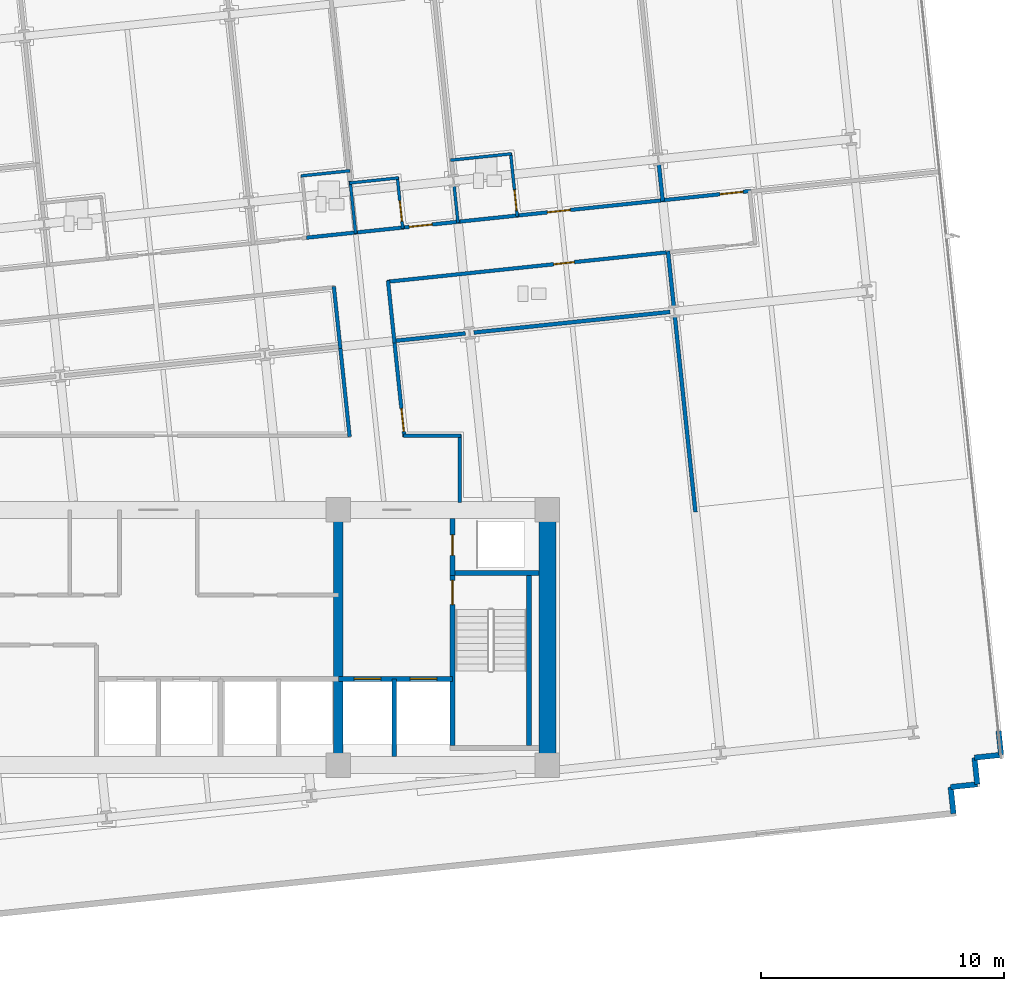
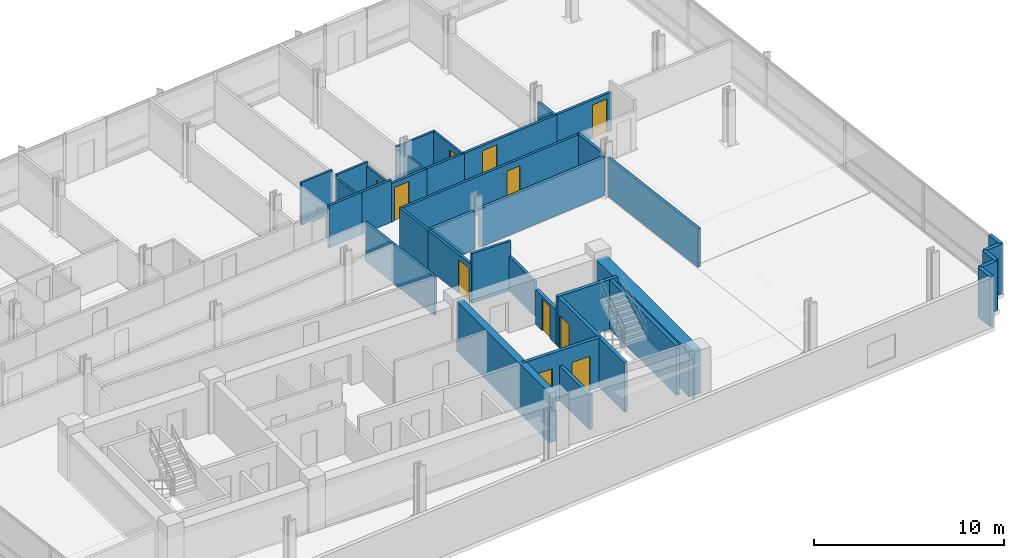
# One storey, part 12 of 18: 38 walls, 11 doors, 11 openings.
"""IFC4 building model written with IfcOpenShell, lengths in metres."""

from ifc_helpers import new_model, si_unit, direction, frame, frame_2d, origin, place, context, subcontext, project, spatial, rectangle, extrude, material, layer, layer_set, type_object, element, fill, save


model = new_model("IFC4")

# Units and contexts
model_context = context("Model", 3, precision=1e-05, world=origin(), true_north=direction((0.0, 1.0)))
body_context = subcontext(model_context, "Body", "Model", "MODEL_VIEW")
ifc_project = project(units=[si_unit("LENGTHUNIT", "METRE"), si_unit("AREAUNIT", "SQUARE_METRE"), si_unit("VOLUMEUNIT", "CUBIC_METRE"), si_unit("PLANEANGLEUNIT", "RADIAN"), si_unit("MASSUNIT", "GRAM", prefix="KILO")], contexts=[model_context])

# Site, building, storey
site_placement = place(None, origin())
site = spatial("IfcSite", under=ifc_project, at=site_placement, CompositionType="ELEMENT")
building_placement = place(site_placement, origin())
building = spatial("IfcBuilding", under=site, at=building_placement, Name="Solmavex Isthmus Hotel", CompositionType="ELEMENT")
storey_placement = place(building_placement, frame((0.0, 0.0, 120.14990234375)))
storey = spatial("IfcBuildingStorey", under=building, at=storey_placement, Name="L32", CompositionType="ELEMENT", Elevation=120.14990234375)

# Walls
ifc_material_1 = material(Name="Precast Concrete C40/50", Category="concrete")
ifc_layer_1 = layer(ifc_material_1, 0.25)
ifc_layer_set_1 = layer_set([ifc_layer_1], Name="Precast Concrete C40/50")
wall_type_1 = type_object("IfcWallType", Name="EW-TWR-250", PredefinedType="STANDARD", material=ifc_layer_set_1)
wall_1_placement = place(storey_placement, frame((34.553955078125, -11.59228515625, 0.0), z_axis=(0.0, 0.0, 1.0), x_axis=(0.104556418955, -0.99451895671, 0.0)))
element("IfcWall", 1, at=wall_1_placement, inside=storey, type_object=wall_type_1, Name="Serrated Corner Facade Panel L32-21", PredefinedType="STANDARD", context=body_context, shape_type="SweptSolid", body=[
    extrude(rectangle(XDim=0.989990234375, YDim=0.219970703125, at=frame_2d((0.4951171875, 0.0))), origin(), (0.0, 0.0, 1.0), 3.190185546875),
])
for number, where, z_axis, x_axis, name in (
    (2, (34.657470703125, -12.576904296875, 0.0), (0.0, 0.0, 1.0), (-0.994521251134, -0.104534592565, 0.0), "Serrated Corner Facade Panel L32-22"),
    (3, (33.5634765625, -12.69189453125, 0.0), (0.0, 0.0, 1.0), (0.104534592565, -0.994521251134, 0.0), "Serrated Corner Facade Panel L32-23"),
    (4, (33.678466796875, -13.785888671875, 0.0), (0.0, 0.0, 1.0), (-0.994521251134, -0.104534592565, 0.0), "Serrated Corner Facade Panel L32-24"),
    (5, (32.58447265625, -13.90087890625, 0.0), (0.0, 0.0, 1.0), (0.104534592565, -0.994521251134, 0.0), "Serrated Corner Facade Panel L32-25"),
):
    element("IfcWall", number, at=place(storey_placement, frame(where, z_axis=z_axis, x_axis=x_axis)), inside=storey, type_object=wall_type_1, Name=name, PredefinedType="STANDARD", context=body_context, shape_type="SweptSolid", body=[
        extrude(rectangle(XDim=1.10009765625, YDim=0.219970703125, at=frame_2d((0.550048828125, 0.0))), origin(), (0.0, 0.0, 1.0), 3.190185546875),
    ])
ifc_material_2 = material(Name="Gypsum plasterboard lining", Category="gypsum")
ifc_layer_2 = layer(ifc_material_2, 0.159912109375)
ifc_layer_set_2 = layer_set([ifc_layer_2], Name="Gypsum plasterboard lining")
wall_type_2 = type_object("IfcWallType", Name="IW-COMP-160", PredefinedType="PARTITIONING", material=ifc_layer_set_2)
wall_2_placement = place(storey_placement, frame((20.579833984375, 11.74658203125, 0.0), z_axis=(0.0, 0.0, 1.0), x_axis=(0.104578999325, -0.994516582516, 0.0)))
element("IfcWall", 6, at=wall_2_placement, inside=storey, type_object=wall_type_2, Name="Interior Partition Wall W-L32-P067", PredefinedType="PARTITIONING", context=body_context, shape_type="SweptSolid", body=[
    extrude(rectangle(XDim=1.561767578125, YDim=0.159912109375, at=frame_2d((0.78076171875, 0.0))), origin(), (0.0, 0.0, 1.0), 2.4794921875),
])
wall_3_placement = place(storey_placement, frame((20.95947265625, 8.134765625, 0.0), z_axis=(0.0, 0.0, 1.0), x_axis=(0.104558463094, -0.994518741802, 0.0)))
element("IfcWall", 7, at=wall_3_placement, inside=storey, type_object=wall_type_2, Name="Interior Partition Wall W-L32-P069", PredefinedType="PARTITIONING", context=body_context, shape_type="SweptSolid", body=[
    extrude(rectangle(XDim=2.31396484375, YDim=0.159912109375, at=frame_2d((1.156982421875, 0.0))), origin(), (0.0, 0.0, 1.0), 2.4794921875),
])
wall_4_placement = place(storey_placement, frame((12.625, 4.755126953125, 0.0), z_axis=(0.0, 0.0, 1.0), x_axis=(-0.994518476722, -0.1045609844, 0.0)))
element("IfcWall", 8, at=wall_4_placement, inside=storey, type_object=wall_type_2, Name="Interior Partition Wall W-L32-P070", PredefinedType="PARTITIONING", context=body_context, shape_type="SweptSolid", body=[
    extrude(rectangle(XDim=2.97705078125, YDim=0.159912109375, at=frame_2d((1.488525390625, 0.0))), origin(), (0.0, 0.0, 1.0), 2.4794921875),
])
wall_5_placement = place(storey_placement, frame((21.04443359375, 5.639892578125, 0.0), z_axis=(0.0, 0.0, 1.0), x_axis=(-0.994521269983, -0.104534413238, 0.0)))
element("IfcWall", 9, at=wall_5_placement, inside=storey, type_object=wall_type_2, Name="Interior Partition Wall W-L32-P071", PredefinedType="PARTITIONING", context=body_context, shape_type="SweptSolid", body=[
    extrude(rectangle(XDim=8.113525390625, YDim=0.159912109375, at=frame_2d((4.056640625, 0.0))), origin(), (0.0, 0.0, 1.0), 2.4794921875),
])
wall_6_placement = place(storey_placement, frame((22.086181640625, -2.586181640625, 0.0), z_axis=(0.0, 0.0, 1.0), x_axis=(-0.104531285071, 0.994521598781, 0.0)))
element("IfcWall", 10, at=wall_6_placement, inside=storey, type_object=wall_type_2, Name="Interior Partition Wall W-L32-P080", PredefinedType="PARTITIONING", context=body_context, shape_type="SweptSolid", body=[
    extrude(rectangle(XDim=8.11376953125, YDim=0.159912109375, at=frame_2d((4.056884765625, 0.0))), origin(), (0.0, 0.0, 1.0), 2.4794921875),
])
ifc_layer_3 = layer(ifc_material_2, 0.14990234375)
ifc_layer_set_3 = layer_set([ifc_layer_3], Name="Gypsum plasterboard lining")
wall_type_3 = type_object("IfcWallType", Name="IW-CORR-150", PredefinedType="PARTITIONING", material=ifc_layer_set_3)
wall_7_placement = place(storey_placement, frame((6.09130859375, 8.693603515625, 0.0), z_axis=(0.0, 0.0, 1.0), x_axis=(0.994520650134, 0.1045403102, 0.0)))
element("IfcWall", 11, at=wall_7_placement, inside=storey, type_object=wall_type_3, Name="Interior Partition Wall W-L32-P006", PredefinedType="PARTITIONING", context=body_context, shape_type="SweptSolid", body=[
    extrude(rectangle(XDim=2.111083984375, YDim=0.14990234375, at=frame_2d((1.0556640625, 0.0))), origin(), (0.0, 0.0, 1.0), 2.71826171875),
])

# Wall, opening, door
wall_8_placement = place(storey_placement, frame((9.96435546875, 9.100830078125, 0.0), z_axis=(0.0, 0.0, 1.0), x_axis=(0.994531631715, 0.104435786577, 0.0)))
wall_8 = element("IfcWall", 12, at=wall_8_placement, inside=storey, type_object=wall_type_3, Name="Interior Partition Wall W-L32-P007", PredefinedType="PARTITIONING", context=body_context, shape_type="SweptSolid", body=[
    extrude(rectangle(XDim=2.449951171875, YDim=0.14990234375, at=frame_2d((1.22509765625, 0.0))), origin(), (0.0, 0.0, 1.0), 2.4794921875),
])
opening_1_placement = place(wall_8_placement, frame((0.351806640625, 0.0, 0.0)))
opening_1 = element("IfcOpeningElement", 13, at=opening_1_placement, cuts=wall_8, Name="Opening ID-C095", PredefinedType="OPENING", context=body_context, shape_type="SweptSolid", body=[
    extrude(rectangle(XDim=0.949951171875, YDim=2.14990234375, at=frame_2d((0.47509765625, 1.074951171875))), frame((0.0, 0.0849609375, 0.0), z_axis=(0.0, -1.0, 0.0), x_axis=(1.0, 0.0, 0.0)), (0.0, 0.0, 1.0), 0.169921875),
])
ifc_material_3 = material(Name="Hardwood timber", Category="wood")
door_type_1 = type_object("IfcDoorType", Name="IDR-FD60-0950", OperationType="NOTDEFINED", PredefinedType="DOOR", material=ifc_material_3)
door_1_placement = place(opening_1_placement, frame((0.949951171875, 0.0, 0.0), z_axis=(0.0, 0.0, 1.0), x_axis=(-1.0, 0.0, 0.0)))
door_1 = element("IfcDoor", 14, at=door_1_placement, inside=storey, type_object=door_type_1, Name="Club Twin Room Door L32-13", OperationType="SINGLE_SWING_LEFT", OverallHeight=2.14990234375, OverallWidth=0.949951171875, PredefinedType="DOOR", context=body_context, shape_type="SweptSolid", body=[
    extrude(rectangle(XDim=0.949951171875, YDim=2.14990234375, at=frame_2d((0.47509765625, 1.074951171875))), frame((0.0, 0.02490234375, 0.0), z_axis=(0.0, -1.0, 0.0), x_axis=(1.0, 0.0, 0.0)), (0.0, 0.0, 1.0), 0.050048828125),
])
fill(opening_1, door_1)

# Wall
wall_9_placement = place(storey_placement, frame((8.02783203125, 8.897216796875, 0.0), z_axis=(0.0, 0.0, 1.0), x_axis=(0.994520650134, 0.1045403102, 0.0)))
element("IfcWall", 15, at=wall_9_placement, inside=storey, type_object=wall_type_3, Name="Interior Partition Wall W-L32-P008", PredefinedType="PARTITIONING", context=body_context, shape_type="SweptSolid", body=[
    extrude(rectangle(XDim=2.111083984375, YDim=0.14990234375, at=frame_2d((1.0556640625, 0.0))), origin(), (0.0, 0.0, 1.0), 2.71826171875),
])

# Wall, opening, door
wall_10_placement = place(storey_placement, frame((14.67431640625, 9.595703125, 0.0), z_axis=(0.0, 0.0, 1.0), x_axis=(0.994521891766, 0.104528497542, 0.0)))
wall_10 = element("IfcWall", 16, at=wall_10_placement, inside=storey, type_object=wall_type_3, Name="Interior Partition Wall W-L32-P009", PredefinedType="PARTITIONING", context=body_context, shape_type="SweptSolid", body=[
    extrude(rectangle(XDim=6.18017578125, YDim=0.14990234375, at=frame_2d((3.090087890625, 0.0))), origin(), (0.0, 0.0, 1.0), 2.4794921875),
])
opening_2_placement = place(wall_10_placement, frame((1.333984375, 0.0, 0.0)))
opening_2 = element("IfcOpeningElement", 17, at=opening_2_placement, cuts=wall_10, Name="Opening ID-C095", PredefinedType="OPENING", context=body_context, shape_type="SweptSolid", body=[
    extrude(rectangle(XDim=0.949951171875, YDim=2.14990234375, at=frame_2d((0.47509765625, 1.074951171875))), frame((0.0, 0.0849609375, 0.0), z_axis=(0.0, -1.0, 0.0), x_axis=(1.0, 0.0, 0.0)), (0.0, 0.0, 1.0), 0.169921875),
])
door_2_placement = place(opening_2_placement, frame((0.949951171875, 0.0, 0.0), z_axis=(0.0, 0.0, 1.0), x_axis=(-1.0, 0.0, 0.0)))
door_2 = element("IfcDoor", 18, at=door_2_placement, inside=storey, type_object=door_type_1, Name="Premier Suite Door L32-15", OperationType="SINGLE_SWING_LEFT", OverallHeight=2.14990234375, OverallWidth=0.949951171875, PredefinedType="DOOR", context=body_context, shape_type="SweptSolid", body=[
    extrude(rectangle(XDim=0.949951171875, YDim=2.14990234375, at=frame_2d((0.47509765625, 1.074951171875))), frame((0.0, 0.02490234375, 0.0), z_axis=(0.0, -1.0, 0.0), x_axis=(1.0, 0.0, 0.0)), (0.0, 0.0, 1.0), 0.050048828125),
])
fill(opening_2, door_2)

# Wall
wall_11_placement = place(storey_placement, frame((12.23779296875, 9.339599609375, 0.0), z_axis=(0.0, 0.0, 1.0), x_axis=(0.994523350694, 0.104514615837, 0.0)))
element("IfcWall", 19, at=wall_11_placement, inside=storey, type_object=wall_type_3, Name="Interior Partition Wall W-L32-P010", PredefinedType="PARTITIONING", context=body_context, shape_type="SweptSolid", body=[
    extrude(rectangle(XDim=2.614013671875, YDim=0.14990234375, at=frame_2d((1.30712890625, 0.0))), origin(), (0.0, 0.0, 1.0), 2.4794921875),
])

# Wall, opening, door
wall_12_placement = place(storey_placement, frame((20.657470703125, 10.224609375, 0.0), z_axis=(0.0, 0.0, 1.0), x_axis=(0.994518385036, 0.104561856457, 0.0)))
wall_12 = element("IfcWall", 20, at=wall_12_placement, inside=storey, type_object=wall_type_3, Name="Interior Partition Wall W-L32-P011", PredefinedType="PARTITIONING", context=body_context, shape_type="SweptSolid", body=[
    extrude(rectangle(XDim=3.721923828125, YDim=0.14990234375, at=frame_2d((1.86083984375, 0.0))), origin(), (0.0, 0.0, 1.0), 2.4794921875),
])
opening_3_placement = place(wall_12_placement, frame((2.456787109375, 0.0, 0.0)))
opening_3 = element("IfcOpeningElement", 21, at=opening_3_placement, cuts=wall_12, Name="Opening ID-C095", PredefinedType="OPENING", context=body_context, shape_type="SweptSolid", body=[
    extrude(rectangle(XDim=0.949951171875, YDim=2.14990234375, at=frame_2d((0.47509765625, 1.074951171875))), frame((0.0, 0.0849609375, 0.0), z_axis=(0.0, -1.0, 0.0), x_axis=(1.0, 0.0, 0.0)), (0.0, 0.0, 1.0), 0.169921875),
])
door_3_placement = place(opening_3_placement, frame((0.949951171875, 0.0, 0.0), z_axis=(0.0, 0.0, 1.0), x_axis=(-1.0, 0.0, 0.0)))
door_3 = element("IfcDoor", 22, at=door_3_placement, inside=storey, type_object=door_type_1, Name="Executive Hospitality Lounge Door L32-17", OperationType="SINGLE_SWING_LEFT", OverallHeight=2.14990234375, OverallWidth=0.949951171875, PredefinedType="DOOR", context=body_context, shape_type="SweptSolid", body=[
    extrude(rectangle(XDim=0.949951171875, YDim=2.14990234375, at=frame_2d((0.47509765625, 1.074951171875))), frame((0.0, 0.02490234375, 0.0), z_axis=(0.0, -1.0, 0.0), x_axis=(1.0, 0.0, 0.0)), (0.0, 0.0, 1.0), 0.050048828125),
])
fill(opening_3, door_3)

wall_13_placement = place(storey_placement, frame((21.045166015625, 8.103515625, 0.0), z_axis=(0.0, 0.0, 1.0), x_axis=(-0.994521447183, -0.104532727376, 0.0)))
wall_13 = element("IfcWall", 23, at=wall_13_placement, inside=storey, type_object=wall_type_3, Name="Interior Partition Wall W-L32-P012", PredefinedType="PARTITIONING", context=body_context, shape_type="SweptSolid", body=[
    extrude(rectangle(XDim=11.701171875, YDim=0.14990234375, at=frame_2d((5.8505859375, 0.0))), origin(), (0.0, 0.0, 1.0), 2.4794921875),
])
opening_4_placement = place(wall_13_placement, frame((3.961181640625, 0.0, 0.0)))
opening_4 = element("IfcOpeningElement", 24, at=opening_4_placement, cuts=wall_13, Name="Opening ID-R085", PredefinedType="OPENING", context=body_context, shape_type="SweptSolid", body=[
    extrude(rectangle(XDim=0.85009765625, YDim=2.050048828125, at=frame_2d((0.425048828125, 1.02490234375))), frame((0.0, 0.0849609375, 0.0), z_axis=(0.0, -1.0, 0.0), x_axis=(1.0, 0.0, 0.0)), (0.0, 0.0, 1.0), 0.169921875),
])
ifc_material_4 = material(Name="Steel ASTM A500 Grade C", Category="steel")
door_type_2 = type_object("IfcDoorType", Name="IDR-FD60-0850", OperationType="NOTDEFINED", PredefinedType="DOOR", material=ifc_material_4)
door_4_placement = place(opening_4_placement, frame((0.85009765625, 0.0, 0.0), z_axis=(0.0, 0.0, 1.0), x_axis=(-1.0, 0.0, 0.0)))
door_4 = element("IfcDoor", 25, at=door_4_placement, inside=storey, type_object=door_type_2, Name="Public Restroom WC Door L32-18", OperationType="SINGLE_SWING_RIGHT", OverallHeight=2.050048828125, OverallWidth=0.85009765625, PredefinedType="DOOR", context=body_context, shape_type="SweptSolid", body=[
    extrude(rectangle(XDim=0.85009765625, YDim=2.050048828125, at=frame_2d((0.425048828125, 1.02490234375))), frame((0.0, 0.02490234375, 0.0), z_axis=(0.0, -1.0, 0.0), x_axis=(1.0, 0.0, 0.0)), (0.0, 0.0, 1.0), 0.050048828125),
])
fill(opening_4, door_4)

# Walls
for number, where, z_axis, x_axis, name in (
    (26, (9.44384765625, 6.92431640625, 0.0), (0.0, 0.0, 1.0), (0.104511838358, -0.994523642576, 0.0), "Interior Partition Wall W-L32-P013"),
    (27, (7.485107421875, 4.13232421875, 0.0), (0.0, 0.0, 1.0), (-0.104605724594, 0.994513771841, 0.0), "Interior Partition Wall W-L32-P016"),
):
    element("IfcWall", number, at=place(storey_placement, frame(where, z_axis=z_axis, x_axis=x_axis)), inside=storey, type_object=wall_type_3, Name=name, PredefinedType="PARTITIONING", context=body_context, shape_type="SweptSolid", body=[
        extrude(rectangle(XDim=2.572021484375, YDim=0.14990234375, at=frame_2d((1.2861328125, 0.0))), origin(), (0.0, 0.0, 1.0), 2.4794921875),
    ])
wall_14_placement = place(storey_placement, frame((7.86572265625, 0.51025390625, 0.0), z_axis=(0.0, 0.0, 1.0), x_axis=(-0.104557897706, 0.994518801244, 0.0)))
element("IfcWall", 28, at=wall_14_placement, inside=storey, type_object=wall_type_3, Name="Interior Partition Wall W-L32-P019", PredefinedType="PARTITIONING", context=body_context, shape_type="SweptSolid", body=[
    extrude(rectangle(XDim=3.805908203125, YDim=0.14990234375, at=frame_2d((1.90283203125, 0.0))), origin(), (0.0, 0.0, 1.0), 2.4794921875),
])

# Wall, opening, door
wall_15_placement = place(storey_placement, frame((9.695556640625, 4.529541015625, 0.0), z_axis=(0.0, 0.0, 1.0), x_axis=(0.104568433906, -0.994517693473, 0.0)))
wall_15 = element("IfcWall", 29, at=wall_15_placement, inside=storey, type_object=wall_type_3, Name="Interior Partition Wall W-L32-P023", PredefinedType="PARTITIONING", context=body_context, shape_type="SweptSolid", body=[
    extrude(rectangle(XDim=4.04150390625, YDim=0.14990234375, at=frame_2d((2.020751953125, 0.0))), origin(), (0.0, 0.0, 1.0), 2.4794921875),
])
opening_5_placement = place(wall_15_placement, frame((2.876708984375, 0.0, 0.0)))
opening_5 = element("IfcOpeningElement", 30, at=opening_5_placement, cuts=wall_15, Name="Opening ID-C095", PredefinedType="OPENING", context=body_context, shape_type="SweptSolid", body=[
    extrude(rectangle(XDim=0.949951171875, YDim=2.14990234375, at=frame_2d((0.47509765625, 1.074951171875))), frame((0.0, 0.0849609375, 0.0), z_axis=(0.0, -1.0, 0.0), x_axis=(1.0, 0.0, 0.0)), (0.0, 0.0, 1.0), 0.169921875),
])
door_5_placement = place(opening_5_placement, frame((0.949951171875, 0.0, 0.0), z_axis=(0.0, 0.0, 1.0), x_axis=(-1.0, 0.0, 0.0)))
door_5 = element("IfcDoor", 31, at=door_5_placement, inside=storey, type_object=door_type_1, Name="Seminar Meeting Room Door L32-25", OperationType="SINGLE_SWING_LEFT", OverallHeight=2.14990234375, OverallWidth=0.949951171875, PredefinedType="DOOR", context=body_context, shape_type="SweptSolid", body=[
    extrude(rectangle(XDim=0.949951171875, YDim=2.14990234375, at=frame_2d((0.47509765625, 1.074951171875))), frame((0.0, 0.02490234375, 0.0), z_axis=(0.0, -1.0, 0.0), x_axis=(1.0, 0.0, 0.0)), (0.0, 0.0, 1.0), 0.050048828125),
])
fill(opening_5, door_5)

# Walls
wall_16_placement = place(storey_placement, frame((10.073974609375, 0.550048828125, 0.0), z_axis=(0.0, 0.0, 1.0), x_axis=(1.0, 0.0, 0.0)))
element("IfcWall", 32, at=wall_16_placement, inside=storey, type_object=wall_type_3, Name="Interior Partition Wall W-L32-P024", PredefinedType="PARTITIONING", context=body_context, shape_type="SweptSolid", body=[
    extrude(rectangle(XDim=2.365966796875, YDim=0.14990234375, at=frame_2d((1.18310546875, 0.0))), origin(), (0.0, 0.0, 1.0), 3.190185546875),
])
wall_17_placement = place(storey_placement, frame((12.39990234375, 0.590087890625, 0.0), z_axis=(0.0, 0.0, 1.0), x_axis=(0.0, -1.0, 0.0)))
element("IfcWall", 33, at=wall_17_placement, inside=storey, type_object=wall_type_3, Name="Interior Partition Wall W-L32-P025", PredefinedType="PARTITIONING", context=body_context, shape_type="SweptSolid", body=[
    extrude(rectangle(XDim=2.780029296875, YDim=0.14990234375, at=frame_2d((1.39013671875, 0.0))), origin(), (0.0, 0.0, 1.0), 2.22509765625),
])
ifc_layer_4 = layer(ifc_material_2, 0.1201171875)
ifc_layer_set_4 = layer_set([ifc_layer_4], Name="Gypsum plasterboard lining")
wall_type_4 = type_object("IfcWallType", Name="IW-PART-120", PredefinedType="PARTITIONING", material=ifc_layer_set_4)
wall_18_placement = place(storey_placement, frame((7.8828125, 11.446044921875, 0.0), z_axis=(0.0, 0.0, 1.0), x_axis=(-0.994521279075, -0.104534326742, 0.0)))
element("IfcWall", 34, at=wall_18_placement, inside=storey, type_object=wall_type_4, Name="Interior Partition Wall W-L32-P054", PredefinedType="PARTITIONING", context=body_context, shape_type="SweptSolid", body=[
    extrude(rectangle(XDim=2.027099609375, YDim=0.1201171875, at=frame_2d((1.013671875, 0.0))), origin(), (0.0, 0.0, 1.0), 2.71826171875),
])
wall_19_placement = place(storey_placement, frame((7.88671875, 11.026123046875, 0.0), z_axis=(0.0, 0.0, 1.0), x_axis=(0.104532657405, -0.994521454538, 0.0)))
element("IfcWall", 35, at=wall_19_placement, inside=storey, type_object=wall_type_4, Name="Interior Partition Wall W-L32-P057", PredefinedType="PARTITIONING", context=body_context, shape_type="SweptSolid", body=[
    extrude(rectangle(XDim=2.172119140625, YDim=0.1201171875, at=frame_2d((1.0859375, 0.0))), origin(), (0.0, 0.0, 1.0), 2.4794921875),
])

# Wall, opening, door
wall_20_placement = place(storey_placement, frame((10.050048828125, 9.069580078125, 0.0), z_axis=(0.0, 0.0, 1.0), x_axis=(-0.104428197609, 0.994532428604, 0.0)))
wall_20 = element("IfcWall", 36, at=wall_20_placement, inside=storey, type_object=wall_type_4, Name="Interior Partition Wall W-L32-P058", PredefinedType="PARTITIONING", context=body_context, shape_type="SweptSolid", body=[
    extrude(rectangle(XDim=2.1298828125, YDim=0.1201171875, at=frame_2d((1.06494140625, 0.0))), origin(), (0.0, 0.0, 1.0), 2.4794921875),
])
opening_6_placement = place(wall_20_placement, frame((0.295654296875, 0.0, 0.0)))
opening_6 = element("IfcOpeningElement", 37, at=opening_6_placement, cuts=wall_20, Name="Opening ID-U085", PredefinedType="OPENING", context=body_context, shape_type="SweptSolid", body=[
    extrude(rectangle(XDim=0.85009765625, YDim=2.10009765625, at=frame_2d((0.425048828125, 1.050048828125))), frame((0.0, 0.070068359375, 0.0), z_axis=(0.0, -1.0, 0.0), x_axis=(1.0, 0.0, 0.0)), (0.0, 0.0, 1.0), 0.14013671875),
])
door_type_3 = type_object("IfcDoorType", Name="IDR-UNR-0850", OperationType="NOTDEFINED", PredefinedType="DOOR", material=ifc_material_3)
door_6_placement = place(opening_6_placement, origin())
door_6 = element("IfcDoor", 38, at=door_6_placement, inside=storey, type_object=door_type_3, Name="En-suite Bathroom Door L32-14", OperationType="SINGLE_SWING_RIGHT", OverallHeight=2.10009765625, OverallWidth=0.85009765625, PredefinedType="DOOR", context=body_context, shape_type="SweptSolid", body=[
    extrude(rectangle(XDim=0.85009765625, YDim=2.10009765625, at=frame_2d((0.425048828125, 1.050048828125))), frame((0.0, 0.02490234375, 0.0), z_axis=(0.0, -1.0, 0.0), x_axis=(1.0, 0.0, 0.0)), (0.0, 0.0, 1.0), 0.050048828125),
])
fill(opening_6, door_6)

# Walls
wall_21_placement = place(storey_placement, frame((9.87158203125, 11.15234375, 0.0), z_axis=(0.0, 0.0, 1.0), x_axis=(-0.994521279075, -0.104534326742, 0.0)))
element("IfcWall", 39, at=wall_21_placement, inside=storey, type_object=wall_type_4, Name="Interior Partition Wall W-L32-P059", PredefinedType="PARTITIONING", context=body_context, shape_type="SweptSolid", body=[
    extrude(rectangle(XDim=2.027099609375, YDim=0.1201171875, at=frame_2d((1.013671875, 0.0))), origin(), (0.0, 0.0, 1.0), 2.71826171875),
])
wall_22_placement = place(storey_placement, frame((12.16015625, 10.86181640625, 0.0), z_axis=(0.0, 0.0, 1.0), x_axis=(0.104562743548, -0.994518291768, 0.0)))
element("IfcWall", 40, at=wall_22_placement, inside=storey, type_object=wall_type_4, Name="Interior Partition Wall W-L32-P062", PredefinedType="PARTITIONING", context=body_context, shape_type="SweptSolid", body=[
    extrude(rectangle(XDim=1.56201171875, YDim=0.1201171875, at=frame_2d((0.781005859375, 0.0))), origin(), (0.0, 0.0, 1.0), 2.4794921875),
])

# Wall, opening, door
wall_23_placement = place(storey_placement, frame((14.760009765625, 9.564453125, 0.0), z_axis=(0.0, 0.0, 1.0), x_axis=(-0.104520496269, 0.994522732701, 0.0)))
wall_23 = element("IfcWall", 41, at=wall_23_placement, inside=storey, type_object=wall_type_4, Name="Interior Partition Wall W-L32-P063", PredefinedType="PARTITIONING", context=body_context, shape_type="SweptSolid", body=[
    extrude(rectangle(XDim=2.630126953125, YDim=0.1201171875, at=frame_2d((1.31494140625, 0.0))), origin(), (0.0, 0.0, 1.0), 2.4794921875),
])
opening_7_placement = place(wall_23_placement, frame((0.247314453125, 0.0, 0.0)))
opening_7 = element("IfcOpeningElement", 42, at=opening_7_placement, cuts=wall_23, Name="Opening ID-U085", PredefinedType="OPENING", context=body_context, shape_type="SweptSolid", body=[
    extrude(rectangle(XDim=0.85009765625, YDim=2.10009765625, at=frame_2d((0.425048828125, 1.050048828125))), frame((0.0, 0.070068359375, 0.0), z_axis=(0.0, -1.0, 0.0), x_axis=(1.0, 0.0, 0.0)), (0.0, 0.0, 1.0), 0.14013671875),
])
door_7_placement = place(opening_7_placement, frame((0.85009765625, 0.0, 0.0), z_axis=(0.0, 0.0, 1.0), x_axis=(-1.0, 0.0, 0.0)))
door_7 = element("IfcDoor", 43, at=door_7_placement, inside=storey, type_object=door_type_3, Name="En-suite Bathroom Door L32-16", OperationType="SINGLE_SWING_RIGHT", OverallHeight=2.10009765625, OverallWidth=0.85009765625, PredefinedType="DOOR", context=body_context, shape_type="SweptSolid", body=[
    extrude(rectangle(XDim=0.85009765625, YDim=2.10009765625, at=frame_2d((0.425048828125, 1.050048828125))), frame((0.0, 0.02490234375, 0.0), z_axis=(0.0, -1.0, 0.0), x_axis=(1.0, 0.0, 0.0)), (0.0, 0.0, 1.0), 0.050048828125),
])
fill(opening_7, door_7)

# Wall
wall_24_placement = place(storey_placement, frame((14.529052734375, 12.14453125, 0.0), z_axis=(0.0, 0.0, 1.0), x_axis=(-0.994523944136, -0.104508968707, 0.0)))
element("IfcWall", 44, at=wall_24_placement, inside=storey, type_object=wall_type_4, Name="Interior Partition Wall W-L32-P064", PredefinedType="PARTITIONING", context=body_context, shape_type="SweptSolid", body=[
    extrude(rectangle(XDim=2.530029296875, YDim=0.1201171875, at=frame_2d((1.26513671875, 0.0))), origin(), (0.0, 0.0, 1.0), 2.4794921875),
])

# Wall, opening, door
ifc_material_5 = material(Name="Concrete C40/50", Category="concrete")
ifc_layer_5 = layer(ifc_material_5, 0.199951171875)
ifc_layer_set_5 = layer_set([ifc_layer_5], Name="Concrete C40/50")
wall_type_5 = type_object("IfcWallType", Name="IW-SHAFT-200", PredefinedType="PARTITIONING", material=ifc_layer_set_5)
wall_25_placement = place(storey_placement, frame((12.10009765625, -5.199951171875, 0.0), z_axis=(0.0, 0.0, 1.0), x_axis=(0.0, 1.0, 0.0)))
wall_25 = element("IfcWall", 45, at=wall_25_placement, inside=storey, type_object=wall_type_5, Name="Interior Partition Wall W-L32-RSE-W", PredefinedType="PARTITIONING", context=body_context, shape_type="SweptSolid", body=[
    extrude(rectangle(XDim=2.349853515625, YDim=0.199951171875, at=frame_2d((1.1748046875, 0.0))), origin(), (0.0, 0.0, 1.0), 2.22509765625),
])
opening_8_placement = place(wall_25_placement, frame((0.824951171875, 0.0, 0.0)))
opening_8 = element("IfcOpeningElement", 46, at=opening_8_placement, cuts=wall_25, Name="Opening ID-R085", PredefinedType="OPENING", context=body_context, shape_type="SweptSolid", body=[
    extrude(rectangle(XDim=0.85009765625, YDim=2.050048828125, at=frame_2d((0.425048828125, 1.02490234375))), frame((0.0, 0.10986328125, 0.0), z_axis=(0.0, -1.0, 0.0), x_axis=(1.0, 0.0, 0.0)), (0.0, 0.0, 1.0), 0.219970703125),
])
door_8_placement = place(opening_8_placement, frame((0.85009765625, 0.0, 0.0), z_axis=(0.0, 0.0, 1.0), x_axis=(-1.0, 0.0, 0.0)))
door_8 = element("IfcDoor", 47, at=door_8_placement, inside=storey, type_object=door_type_2, Name="Mechanical Riser Door L32", OperationType="SINGLE_SWING_LEFT", OverallHeight=2.050048828125, OverallWidth=0.85009765625, PredefinedType="DOOR", context=body_context, shape_type="SweptSolid", body=[
    extrude(rectangle(XDim=0.85009765625, YDim=2.050048828125, at=frame_2d((0.425048828125, 1.02490234375))), frame((0.0, 0.02490234375, 0.0), z_axis=(0.0, -1.0, 0.0), x_axis=(1.0, 0.0, 0.0)), (0.0, 0.0, 1.0), 0.050048828125),
])
fill(opening_8, door_8)

# Wall, openings, doors
wall_26_placement = place(storey_placement, frame((7.39990234375, -9.449951171875, 0.0), z_axis=(0.0, 0.0, 1.0), x_axis=(1.0, 0.0, 0.0)))
wall_26 = element("IfcWall", 48, at=wall_26_placement, inside=storey, type_object=wall_type_5, Name="Interior Partition Wall W-L32-FFLE-S", PredefinedType="PARTITIONING", context=body_context, shape_type="SweptSolid", body=[
    extrude(rectangle(XDim=4.7001953125, YDim=0.199951171875, at=frame_2d((2.35009765625, 0.0))), origin(), (0.0, 0.0, 1.0), 3.190185546875),
])
opening_9_placement = place(wall_26_placement, frame((2.949951171875, 0.0, 0.0)))
opening_9 = element("IfcOpeningElement", 49, at=opening_9_placement, cuts=wall_26, Name="Opening LD-FF", PredefinedType="OPENING", context=body_context, shape_type="SweptSolid", body=[
    extrude(rectangle(XDim=1.10009765625, YDim=2.199951171875, at=frame_2d((0.550048828125, 1.10009765625))), frame((0.0, 0.10986328125, 0.0), z_axis=(0.0, -1.0, 0.0), x_axis=(1.0, 0.0, 0.0)), (0.0, 0.0, 1.0), 0.219970703125),
])
opening_10_placement = place(wall_26_placement, frame((0.64990234375, 0.0, 0.0)))
opening_10 = element("IfcOpeningElement", 50, at=opening_10_placement, cuts=wall_26, Name="Opening LD-SV", PredefinedType="OPENING", context=body_context, shape_type="SweptSolid", body=[
    extrude(rectangle(XDim=1.10009765625, YDim=2.199951171875, at=frame_2d((0.550048828125, 1.10009765625))), frame((0.0, 0.10986328125, 0.0), z_axis=(0.0, -1.0, 0.0), x_axis=(1.0, 0.0, 0.0)), (0.0, 0.0, 1.0), 0.219970703125),
])
ifc_material_6 = material(Name="Stainless steel 316", Category="steel")
door_type_4 = type_object("IfcDoorType", Name="LDR-FF-1100", OperationType="NOTDEFINED", PredefinedType="DOOR", material=ifc_material_6)
door_9_placement = place(opening_9_placement, origin())
door_9 = element("IfcDoor", 51, at=door_9_placement, inside=storey, type_object=door_type_4, Name="Lift Landing Door FFL-2 L32", OperationType="SLIDING_TO_LEFT", OverallHeight=2.199951171875, OverallWidth=1.10009765625, PredefinedType="DOOR", context=body_context, shape_type="SweptSolid", body=[
    extrude(rectangle(XDim=1.10009765625, YDim=2.199951171875, at=frame_2d((0.550048828125, 1.10009765625))), frame((0.0, 0.02490234375, 0.0), z_axis=(0.0, -1.0, 0.0), x_axis=(1.0, 0.0, 0.0)), (0.0, 0.0, 1.0), 0.050048828125),
])
fill(opening_9, door_9)
door_type_5 = type_object("IfcDoorType", Name="LDR-SV-1100", OperationType="NOTDEFINED", PredefinedType="DOOR", material=ifc_material_6)
door_10_placement = place(opening_10_placement, origin())
door_10 = element("IfcDoor", 52, at=door_10_placement, inside=storey, type_object=door_type_5, Name="Lift Landing Door SVL-2 L32", OperationType="SLIDING_TO_RIGHT", OverallHeight=2.199951171875, OverallWidth=1.10009765625, PredefinedType="DOOR", context=body_context, shape_type="SweptSolid", body=[
    extrude(rectangle(XDim=1.10009765625, YDim=2.199951171875, at=frame_2d((0.550048828125, 1.10009765625))), frame((0.0, 0.02490234375, 0.0), z_axis=(0.0, -1.0, 0.0), x_axis=(1.0, 0.0, 0.0)), (0.0, 0.0, 1.0), 0.050048828125),
])
fill(opening_10, door_10)

# Walls
wall_27_placement = place(storey_placement, frame((9.699951171875, -12.64990234375, 0.0), z_axis=(0.0, 0.0, 1.0), x_axis=(0.0, 1.0, 0.0)))
element("IfcWall", 53, at=wall_27_placement, inside=storey, type_object=wall_type_5, Name="Interior Partition Wall W-L32-FFLE-M", PredefinedType="PARTITIONING", context=body_context, shape_type="SweptSolid", body=[
    extrude(rectangle(XDim=3.199951171875, YDim=0.199951171875, at=frame_2d((1.60009765625, 0.0))), origin(), (0.0, 0.0, 1.0), 2.22509765625),
])
ifc_material_7 = material(Name="Concrete C60/75", Category="concrete")
ifc_layer_6 = layer(ifc_material_7, 0.39990234375)
ifc_layer_set_6 = layer_set([ifc_layer_6], Name="Concrete C60/75")
wall_type_6 = type_object("IfcWallType", Name="WALL-CW-400M", PredefinedType="SHEAR", material=ifc_layer_set_6)
wall_28_placement = place(storey_placement, frame((7.39990234375, -12.64990234375, 0.0), z_axis=(0.0, 0.0, 1.0), x_axis=(0.0, 1.0, 0.0)))
element("IfcWall", 54, at=wall_28_placement, inside=storey, type_object=wall_type_6, Name="Core Cross Shear Wall C2 L32", PredefinedType="SHEAR", context=body_context, shape_type="SweptSolid", body=[
    extrude(rectangle(XDim=9.7998046875, YDim=0.39990234375, at=frame_2d((4.89990234375, 0.0))), origin(), (0.0, 0.0, 1.0), 3.190185546875),
])
ifc_layer_7 = layer(ifc_material_7, 0.699951171875)
ifc_layer_set_7 = layer_set([ifc_layer_7], Name="Concrete C60/75")
wall_type_7 = type_object("IfcWallType", Name="WALL-CW-700", PredefinedType="SHEAR", material=ifc_layer_set_7)
wall_29_placement = place(storey_placement, frame((16.0, -12.64990234375, 0.0), z_axis=(0.0, 0.0, 1.0), x_axis=(0.0, 1.0, 0.0)))
element("IfcWall", 55, at=wall_29_placement, inside=storey, type_object=wall_type_7, Name="Core Shear Wall East L32", PredefinedType="SHEAR", context=body_context, shape_type="SweptSolid", body=[
    extrude(rectangle(XDim=9.7998046875, YDim=0.699951171875, at=frame_2d((4.89990234375, 0.0))), origin(), (0.0, 0.0, 1.0), 2.91015625),
])
ifc_layer_8 = layer(ifc_material_5, 0.199951171875)
ifc_layer_set_8 = layer_set([ifc_layer_8], Name="Concrete C40/50")
wall_type_8 = type_object("IfcWallType", Name="WALL-SW-200", PredefinedType="SOLIDWALL", material=ifc_layer_set_8)
wall_30_placement = place(storey_placement, frame((12.0, -5.10009765625, 0.0), z_axis=(0.0, 0.0, 1.0), x_axis=(1.0, 0.0, 0.0)))
element("IfcWall", 56, at=wall_30_placement, inside=storey, type_object=wall_type_8, Name="Stairwell Structural Wall SW-L32-ST2-N", PredefinedType="SOLIDWALL", context=body_context, shape_type="SweptSolid", body=[
    extrude(rectangle(XDim=3.64990234375, YDim=0.199951171875, at=frame_2d((1.824951171875, 0.0))), origin(), (0.0, 0.0, 1.0), 3.190185546875),
])

# Wall, opening, door
wall_31_placement = place(storey_placement, frame((12.10009765625, -12.199951171875, 0.0), z_axis=(0.0, 0.0, 1.0), x_axis=(0.0, 1.0, 0.0)))
wall_31 = element("IfcWall", 57, at=wall_31_placement, inside=storey, type_object=wall_type_8, Name="Stairwell Structural Wall SW-L32-ST2-W", PredefinedType="SOLIDWALL", context=body_context, shape_type="SweptSolid", body=[
    extrude(rectangle(XDim=7.0, YDim=0.199951171875, at=frame_2d((3.5, 0.0))), origin(), (0.0, 0.0, 1.0), 3.190185546875),
])
opening_11_placement = place(wall_31_placement, frame((5.800048828125, 0.0, 0.0)))
opening_11 = element("IfcOpeningElement", 58, at=opening_11_placement, cuts=wall_31, Name="Opening ID-F100", PredefinedType="OPENING", context=body_context, shape_type="SweptSolid", body=[
    extrude(rectangle(XDim=1.0, YDim=2.10009765625, at=frame_2d((0.5, 1.050048828125))), frame((0.0, 0.10986328125, 0.0), z_axis=(0.0, -1.0, 0.0), x_axis=(1.0, 0.0, 0.0)), (0.0, 0.0, 1.0), 0.219970703125),
])
door_type_6 = type_object("IfcDoorType", Name="IDR-FD90-1000", OperationType="NOTDEFINED", PredefinedType="DOOR", material=ifc_material_4)
door_11_placement = place(opening_11_placement, origin())
door_11 = element("IfcDoor", 59, at=door_11_placement, inside=storey, type_object=door_type_6, Name="Stair ST-2 Fire Door L32", OperationType="SINGLE_SWING_RIGHT", OverallHeight=2.10009765625, OverallWidth=1.0, PredefinedType="DOOR", context=body_context, shape_type="SweptSolid", body=[
    extrude(rectangle(XDim=1.0, YDim=2.10009765625, at=frame_2d((0.5, 1.050048828125))), frame((0.0, 0.02490234375, 0.0), z_axis=(0.0, -1.0, 0.0), x_axis=(1.0, 0.0, 0.0)), (0.0, 0.0, 1.0), 0.050048828125),
])
fill(opening_11, door_11)

# Wall
wall_32_placement = place(storey_placement, frame((15.25, -12.199951171875, 0.0), z_axis=(0.0, 0.0, 1.0), x_axis=(0.0, 1.0, 0.0)))
element("IfcWall", 60, at=wall_32_placement, inside=storey, type_object=wall_type_8, Name="Stairwell Structural Wall SW-L32-ST2-E", PredefinedType="SOLIDWALL", context=body_context, shape_type="SweptSolid", body=[
    extrude(rectangle(XDim=7.0, YDim=0.199951171875, at=frame_2d((3.5, 0.0))), origin(), (0.0, 0.0, 1.0), 3.190185546875),
])

save(model, "model.ifc")
